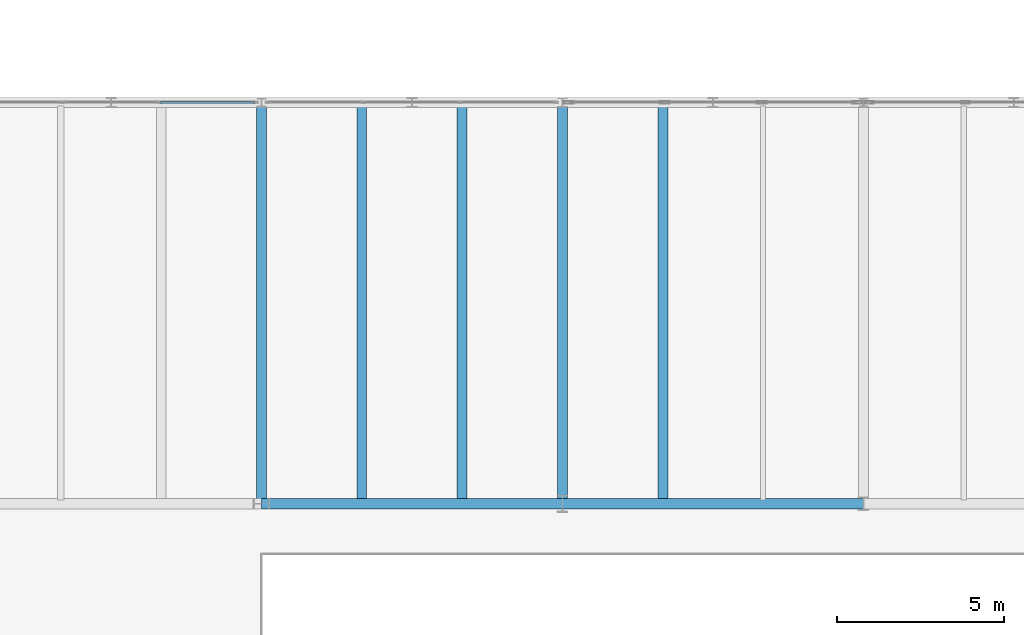
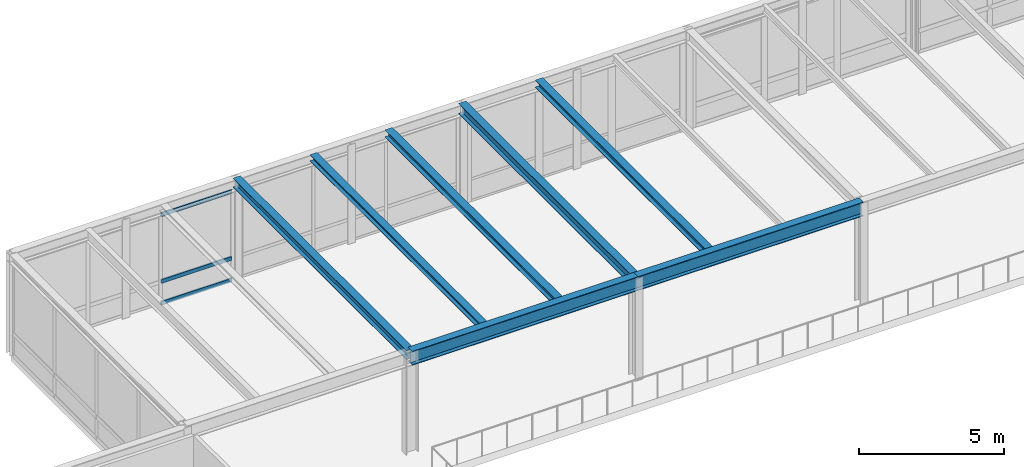
# One storey, part 66 of 115: 7 beams, 3 members, 1 element without a shape of its own.
"""IFC4 building model written with IfcOpenShell, lengths in metres."""

from ifc_helpers import new_model, si_unit, direction, frame, origin, origin_2d, place, context, subcontext, project, spatial, hollow_rectangle, i_section, extrude, material, layer, layer_set, material_profile, profile_set, type_object, element, aggregate, save


model = new_model("IFC4")

# Units and contexts
model_context = context("Model", 3, precision=1e-05, world=origin(), true_north=direction((0.0, 1.0)))
body_context = subcontext(model_context, "Body", "Model", "MODEL_VIEW")
ifc_project = project(units=[si_unit("LENGTHUNIT", "METRE"), si_unit("AREAUNIT", "SQUARE_METRE"), si_unit("VOLUMEUNIT", "CUBIC_METRE"), si_unit("PLANEANGLEUNIT", "RADIAN"), si_unit("MASSUNIT", "GRAM", prefix="KILO")], contexts=[model_context])

# Site, building, storey
site_placement = place(None, origin())
site = spatial("IfcSite", under=ifc_project, at=site_placement, CompositionType="ELEMENT")
building_placement = place(site_placement, origin())
building = spatial("IfcBuilding", under=site, at=building_placement, Name="Montelvaro Courts of Justice", CompositionType="ELEMENT")
storey_placement = place(building_placement, frame((0.0, 0.0, 9.89990234375)))
storey = spatial("IfcBuildingStorey", under=building, at=storey_placement, Name="L02", CompositionType="ELEMENT", Elevation=9.89990234375)

# Beams
ifc_material_1 = material(Name="Steel S355", Category="steel")
ifc_material_profile_1 = material_profile(ifc_material_1, i_section(OverallWidth=0.280029296875, OverallDepth=0.27001953125, WebThickness=0.008056640625, FlangeThickness=0.012939453125, at=origin_2d()), Name="HEA 280")
ifc_profile_set_1 = profile_set([ifc_material_profile_1], Name="Steel S355")
beam_type_1 = type_object("IfcBeamType", Name="Beam_HEA280", PredefinedType="BEAM", material=ifc_profile_set_1)
beam_1_placement = place(storey_placement, frame((39.0, 96.110107421875, 4.1650390625), z_axis=(0.0, 1.0, 0.0), x_axis=(-1.0, 0.0, 0.0)))
element("IfcBeam", 1, at=beam_1_placement, inside=storey, type_object=beam_type_1, Name="Beam B-14 L02", PredefinedType="BEAM", context=body_context, shape_type="SweptSolid", body=[
    extrude(i_section(OverallWidth=0.280029296875, OverallDepth=0.27001953125, WebThickness=0.008056640625, FlangeThickness=0.012939453125, at=origin_2d()), origin(), (0.0, 0.0, 1.0), 11.77978515625),
])
ifc_material_profile_2 = material_profile(ifc_material_1, i_section(OverallWidth=0.300048828125, OverallDepth=0.31005859375, WebThickness=0.009033203125, FlangeThickness=0.015380859375, at=origin_2d()), Name="HEA 320")
ifc_profile_set_2 = profile_set([ifc_material_profile_2], Name="Steel S355")
beam_type_2 = type_object("IfcBeamType", Name="Beam_HEA320", PredefinedType="BEAM", material=ifc_profile_set_2)
for number, where, z_axis, x_axis, name in (
    (2, (42.0, 96.110107421875, 4.14501953125), (0.0, 1.0, 0.0), (-1.0, 0.0, 0.0), "Beam B-15 L02"),
    (3, (48.0, 96.110107421875, 4.14501953125), (0.0, 1.0, 0.0), (-1.0, 0.0, 0.0), "Beam B-15 L02"),
):
    element("IfcBeam", number, at=place(storey_placement, frame(where, z_axis=z_axis, x_axis=x_axis)), inside=storey, type_object=beam_type_2, Name=name, PredefinedType="BEAM", context=body_context, shape_type="SweptSolid", body=[
        extrude(i_section(OverallWidth=0.300048828125, OverallDepth=0.31005859375, WebThickness=0.009033203125, FlangeThickness=0.015380859375, at=origin_2d()), origin(), (0.0, 0.0, 1.0), 11.77978515625),
    ])
ifc_material_profile_3 = material_profile(ifc_material_1, i_section(OverallWidth=0.300048828125, OverallDepth=0.389892578125, WebThickness=0.010986328125, FlangeThickness=0.01904296875, at=origin_2d()), Name="HEA 400")
ifc_profile_set_3 = profile_set([ifc_material_profile_3], Name="Steel S355")
beam_type_3 = type_object("IfcBeamType", Name="Beam_HEA400", PredefinedType="USERDEFINED", material=ifc_profile_set_3)
beam_2_placement = place(storey_placement, frame((36.0, 96.0, 4.10498046875), z_axis=(0.0, 1.0, 0.0), x_axis=(-1.0, 0.0, 0.0)))
element("IfcBeam", 4, at=beam_2_placement, inside=storey, type_object=beam_type_3, Name="Beam B-17 L02", ObjectType="GIRDER", PredefinedType="USERDEFINED", context=body_context, shape_type="SweptSolid", body=[
    extrude(i_section(OverallWidth=0.300048828125, OverallDepth=0.389892578125, WebThickness=0.010986328125, FlangeThickness=0.01904296875, at=origin_2d()), origin(), (0.0, 0.0, 1.0), 12.0),
])
ifc_material_profile_4 = material_profile(ifc_material_1, i_section(OverallWidth=0.300048828125, OverallDepth=0.43994140625, WebThickness=0.011474609375, FlangeThickness=0.02099609375, at=origin_2d()), Name="HEA 450")
ifc_profile_set_4 = profile_set([ifc_material_profile_4], Name="Steel S355")
beam_type_4 = type_object("IfcBeamType", Name="Beam_HEA450", PredefinedType="USERDEFINED", material=ifc_profile_set_4)
beam_3_placement = place(storey_placement, frame((45.0, 96.0, 4.080078125), z_axis=(0.0, 1.0, 0.0), x_axis=(-1.0, 0.0, 0.0)))
element("IfcBeam", 5, at=beam_3_placement, inside=storey, type_object=beam_type_4, Name="Beam B-18 L02", ObjectType="GIRDER", PredefinedType="USERDEFINED", context=body_context, shape_type="SweptSolid", body=[
    extrude(i_section(OverallWidth=0.300048828125, OverallDepth=0.43994140625, WebThickness=0.011474609375, FlangeThickness=0.02099609375, at=origin_2d()), origin(), (0.0, 0.0, 1.0), 12.0),
])
ifc_material_profile_5 = material_profile(ifc_material_1, i_section(OverallWidth=0.300048828125, OverallDepth=0.590087890625, WebThickness=0.012939453125, FlangeThickness=0.02490234375, at=origin_2d()), Name="HEA 600")
ifc_profile_set_5 = profile_set([ifc_material_profile_5], Name="Steel S355")
beam_type_5 = type_object("IfcBeamType", Name="Beam_HEA600", PredefinedType="USERDEFINED", material=ifc_profile_set_5)
for number, where, z_axis, x_axis, name in (
    (6, (36.0, 96.0, 4.005126953125), (1.0, 0.0, 0.0), (0.0, 1.0, 0.0), "Beam B-21 L02"),
    (7, (45.0, 96.0, 4.005126953125), (1.0, 0.0, 0.0), (0.0, 1.0, 0.0), "Beam B-21 L02"),
):
    element("IfcBeam", number, at=place(storey_placement, frame(where, z_axis=z_axis, x_axis=x_axis)), inside=storey, type_object=beam_type_5, Name=name, ObjectType="GIRDER", PredefinedType="USERDEFINED", context=body_context, shape_type="SweptSolid", body=[
        extrude(i_section(OverallWidth=0.300048828125, OverallDepth=0.590087890625, WebThickness=0.012939453125, FlangeThickness=0.02490234375, at=origin_2d()), origin(), (0.0, 0.0, 1.0), 9.0),
    ])

# Curtain wall, members
ifc_material_2 = material(Name="Anodised aluminium EN AW-6063", Category="aluminium")
ifc_layer = layer(ifc_material_2, 0.159912109375)
ifc_layer_set = layer_set([ifc_layer], Name="Anodised aluminium EN AW-6063")
curtain_wall_type = type_object("IfcCurtainWallType", Name="CurtainWall_18_868x418", PredefinedType="USERDEFINED", material=ifc_layer_set)
curtain_wall_placement = place(storey_placement, origin())
curtain_wall = element("IfcCurtainWall", 8, at=curtain_wall_placement, inside=storey, type_object=curtain_wall_type, Name="Curtain Wall CW-18 (L02)", ObjectType="CURTAIN WALL", PredefinedType="USERDEFINED")
ifc_material_profile_6 = material_profile(ifc_material_2, hollow_rectangle(XDim=0.06005859375, YDim=0.159912109375, WallThickness=0.00439453125, at=origin_2d()), Name="ALU-T 60x160")
ifc_profile_set_6 = profile_set([ifc_material_profile_6], Name="Anodised aluminium EN AW-6063")
member_type = type_object("IfcMemberType", Name="CurtainWall_Transom_60x160", PredefinedType="USERDEFINED", material=ifc_profile_set_6)
member_1_placement = place(storey_placement, frame((35.794921875, 108.0, 0.030029296875), z_axis=(-1.0, 0.0, 0.0), x_axis=(0.0, -1.0, 0.0)))
member_1 = element("IfcMember", 9, at=member_1_placement, type_object=member_type, Name="CW-18 transom 1.1", ObjectType="TRANSOM", PredefinedType="USERDEFINED", context=body_context, shape_type="SweptSolid", body=[
    extrude(hollow_rectangle(XDim=0.06005859375, YDim=0.159912109375, WallThickness=0.00439453125, at=origin_2d()), origin(), (0.0, 0.0, 1.0), 2.813232421875),
])
member_2_placement = place(storey_placement, frame((35.794921875, 108.0, 0.9501953125), z_axis=(-1.0, 0.0, 0.0), x_axis=(0.0, -1.0, 0.0)))
member_2 = element("IfcMember", 10, at=member_2_placement, type_object=member_type, Name="CW-18 transom 1.2", ObjectType="TRANSOM", PredefinedType="USERDEFINED", context=body_context, shape_type="SweptSolid", body=[
    extrude(hollow_rectangle(XDim=0.06005859375, YDim=0.159912109375, WallThickness=0.00439453125, at=origin_2d()), origin(), (0.0, 0.0, 1.0), 2.813232421875),
])
member_3_placement = place(storey_placement, frame((35.794921875, 108.0, 3.76513671875), z_axis=(-1.0, 0.0, 0.0), x_axis=(0.0, -1.0, 0.0)))
member_3 = element("IfcMember", 11, at=member_3_placement, type_object=member_type, Name="CW-18 transom 1.3", ObjectType="TRANSOM", PredefinedType="USERDEFINED", context=body_context, shape_type="SweptSolid", body=[
    extrude(hollow_rectangle(XDim=0.06005859375, YDim=0.159912109375, WallThickness=0.00439453125, at=origin_2d()), origin(), (0.0, 0.0, 1.0), 2.813232421875),
])
aggregate(curtain_wall, [member_1, member_2, member_3])

save(model, "model.ifc")
